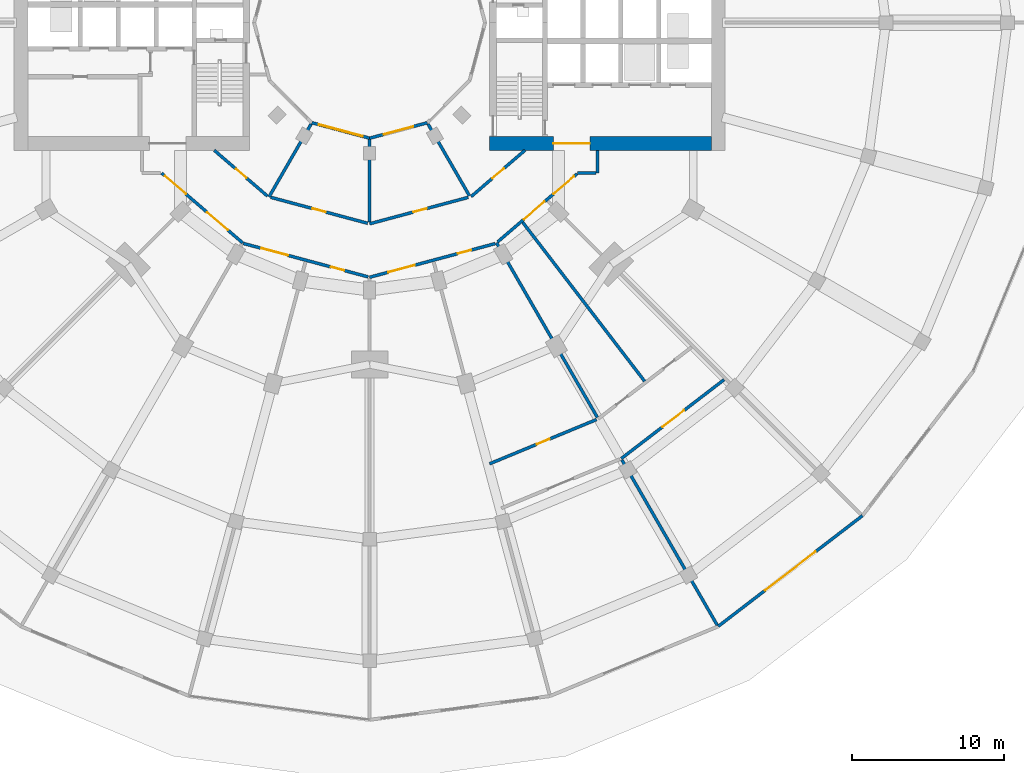
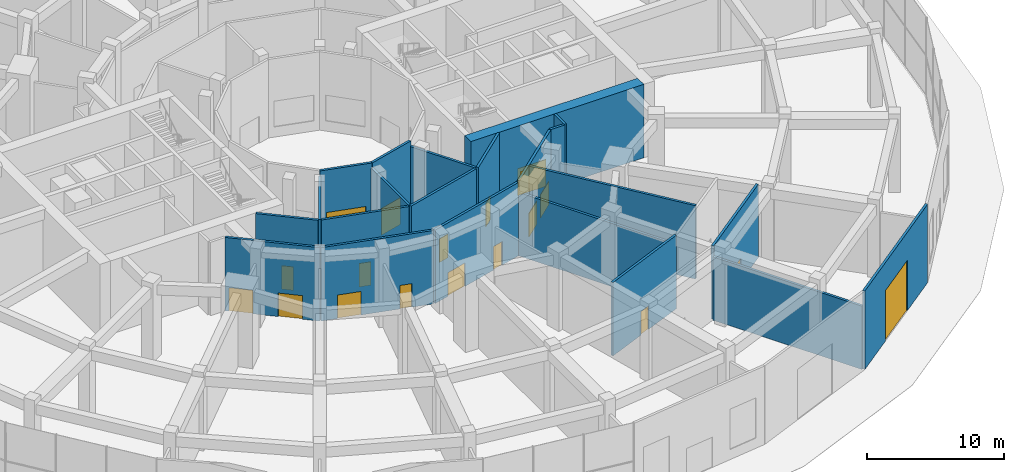
# One storey, part 23 of 31: 22 walls, 17 doors, 1 window, 18 openings.
"""IFC4 building model written with IfcOpenShell, lengths in metres."""

from ifc_helpers import new_model, si_unit, direction, frame, frame_2d, origin, place, context, subcontext, project, spatial, rectangle, extrude, material, layer, layer_set, type_object, element, fill, save


model = new_model("IFC4")

# Units and contexts
model_context = context("Model", 3, precision=1e-05, world=origin(), true_north=direction((0.0, 1.0)))
body_context = subcontext(model_context, "Body", "Model", "MODEL_VIEW")
ifc_project = project(units=[si_unit("LENGTHUNIT", "METRE"), si_unit("AREAUNIT", "SQUARE_METRE"), si_unit("VOLUMEUNIT", "CUBIC_METRE"), si_unit("PLANEANGLEUNIT", "RADIAN"), si_unit("MASSUNIT", "GRAM", prefix="KILO")], contexts=[model_context])

# Site, building, storey
site_placement = place(None, origin())
site = spatial("IfcSite", under=ifc_project, at=site_placement, CompositionType="ELEMENT")
building_placement = place(site_placement, origin())
building = spatial("IfcBuilding", under=site, at=building_placement, Name="Torre Brocal", CompositionType="ELEMENT")
storey_placement = place(building_placement, origin())
storey = spatial("IfcBuildingStorey", under=building, at=storey_placement, Name="L00", CompositionType="ELEMENT", Elevation=0.0)

# Wall, opening, door
ifc_material_1 = material(Name="Concrete C80", Category="concrete")
ifc_layer_1 = layer(ifc_material_1, 0.89990234375)
ifc_layer_set_1 = layer_set([ifc_layer_1], Name="Concrete C80")
wall_type_1 = type_object("IfcWallType", Name="CORE WALL 900 C80 UNDER 450 SLAB", PredefinedType="SHEAR", material=ifc_layer_set_1)
wall_1_placement = place(storey_placement, frame((87.89990234375, 67.050048828125, 0.0), z_axis=(0.0, 0.0, 1.0), x_axis=(1.0, 0.0, 0.0)))
wall_1 = element("IfcWall", 1, at=wall_1_placement, inside=storey, type_object=wall_type_1, Name="Wall CW900-80-S450", PredefinedType="SHEAR", context=body_context, shape_type="SweptSolid", body=[
    extrude(rectangle(XDim=14.60009765625, YDim=0.89990234375, at=frame_2d((7.300048828125, 0.0))), origin(), (0.0, 0.0, 1.0), 6.550048828125),
])
opening_1_placement = place(wall_1_placement, frame((4.199951171875, 0.0, 0.0)))
opening_1 = element("IfcOpeningElement", 2, at=opening_1_placement, cuts=wall_1, Name="Opening E-D30", PredefinedType="OPENING", context=body_context, shape_type="SweptSolid", body=[
    extrude(rectangle(XDim=2.39990234375, YDim=2.39990234375, at=frame_2d((1.199951171875, 1.199951171875))), frame((0.0, 0.4599609375, 0.0), z_axis=(0.0, -1.0, 0.0), x_axis=(1.0, 0.0, 0.0)), (0.0, 0.0, 1.0), 0.919921875),
])
ifc_material_2 = material(Name="Steel A653", Category="steel")
door_type_1 = type_object("IfcDoorType", Name="DOUBLE FIRE DOOR FD90 2400X2400", OperationType="DOUBLE_DOOR_SINGLE_SWING", PredefinedType="DOOR", material=ifc_material_2)
door_1_placement = place(opening_1_placement, origin())
door_1 = element("IfcDoor", 3, at=door_1_placement, inside=storey, type_object=door_type_1, Name="Door E-D30", OperationType="DOUBLE_DOOR_SINGLE_SWING", OverallHeight=2.39990234375, OverallWidth=2.39990234375, PredefinedType="DOOR", context=body_context, shape_type="SweptSolid", body=[
    extrude(rectangle(XDim=2.39990234375, YDim=2.39990234375, at=frame_2d((1.199951171875, 1.199951171875))), frame((0.0, 0.02490234375, 0.0), z_axis=(0.0, -1.0, 0.0), x_axis=(1.0, 0.0, 0.0)), (0.0, 0.0, 1.0), 0.050048828125),
])
fill(opening_1, door_1)

ifc_material_3 = material(Name="Concrete C40", Category="concrete")
ifc_layer_2 = layer(ifc_material_3, 0.199951171875)
ifc_layer_set_2 = layer_set([ifc_layer_2], Name="Concrete C40")
wall_type_2 = type_object("IfcWallType", Name="EXTERNAL WALL 200", PredefinedType="NOTDEFINED", material=ifc_layer_set_2)
wall_2_placement = place(storey_placement, frame((102.949462890625, 35.250244140625, 0.0), z_axis=(0.0, 0.0, 1.0), x_axis=(0.793357384068, 0.608756159021, 0.0)))
wall_2 = element("IfcWall", 4, at=wall_2_placement, inside=storey, type_object=wall_type_2, Name="EXTERNAL WALL", PredefinedType="NOTDEFINED", context=body_context, shape_type="SweptSolid", body=[
    extrude(rectangle(XDim=11.982177734375, YDim=0.199951171875, at=frame_2d((5.9912109375, 0.0))), origin(), (0.0, 0.0, 1.0), 7.0),
])
opening_2_placement = place(wall_2_placement, frame((3.89111328125, 0.0, 0.0)))
opening_2 = element("IfcOpeningElement", 5, at=opening_2_placement, cuts=wall_2, Name="Opening L00-E11", PredefinedType="OPENING", context=body_context, shape_type="SweptSolid", body=[
    extrude(rectangle(XDim=4.199951171875, YDim=4.5, at=frame_2d((2.10009765625, 2.25))), frame((0.0, 0.10986328125, 0.0), z_axis=(0.0, -1.0, 0.0), x_axis=(1.0, 0.0, 0.0)), (0.0, 0.0, 1.0), 0.219970703125),
])
ifc_material_4 = material(Name="Aluminium and glass", Category="aluminium")
door_type_2 = type_object("IfcDoorType", Name="LOADING DOCK DOOR 4200X4500", OperationType="ROLLINGUP", PredefinedType="DOOR", material=ifc_material_4)
door_2_placement = place(opening_2_placement, origin())
door_2 = element("IfcDoor", 6, at=door_2_placement, inside=storey, type_object=door_type_2, Name="DOOR L00-E11", OperationType="ROLLINGUP", OverallHeight=4.5, OverallWidth=4.199951171875, PredefinedType="DOOR", context=body_context, shape_type="SweptSolid", body=[
    extrude(rectangle(XDim=4.199951171875, YDim=4.5, at=frame_2d((2.10009765625, 2.25))), frame((0.0, 0.02490234375, 0.0), z_axis=(0.0, -1.0, 0.0), x_axis=(1.0, 0.0, 0.0)), (0.0, 0.0, 1.0), 0.050048828125),
])
fill(opening_2, door_2)

# Wall, openings, doors
ifc_material_5 = material(Name="Gypsum board", Category="Gypsum")
ifc_layer_3 = layer(ifc_material_5, 0.199951171875)
ifc_layer_set_3 = layer_set([ifc_layer_3], Name="Gypsum board")
wall_type_3 = type_object("IfcWallType", Name="PARTITION 200 EI60", PredefinedType="PARTITIONING", material=ifc_layer_set_3)
wall_3_placement = place(storey_placement, frame((66.30224609375, 65.10009765625, 0.0), z_axis=(0.0, 0.0, 1.0), x_axis=(0.757895579626, -0.652375881209, 0.0)))
wall_3 = element("IfcWall", 7, at=wall_3_placement, inside=storey, type_object=wall_type_3, Name="FLAT ENTRANCE WALL", PredefinedType="PARTITIONING", context=body_context, shape_type="SweptSolid", body=[
    extrude(rectangle(XDim=7.0615234375, YDim=0.199951171875, at=frame_2d((3.53076171875, 0.0))), origin(), (0.0, 0.0, 1.0), 6.550048828125),
])
opening_3_placement = place(wall_3_placement, frame((3.96435546875, 0.0, 0.0)))
opening_3 = element("IfcOpeningElement", 8, at=opening_3_placement, cuts=wall_3, Name="Opening PD0-D25", PredefinedType="OPENING", context=body_context, shape_type="SweptSolid", body=[
    extrude(rectangle(XDim=1.800048828125, YDim=2.10009765625, at=frame_2d((0.89990234375, 1.050048828125))), frame((0.0, 0.10986328125, 0.0), z_axis=(0.0, -1.0, 0.0), x_axis=(1.0, 0.0, 0.0)), (0.0, 0.0, 1.0), 0.219970703125),
])
opening_4_placement = place(wall_3_placement, frame((0.30615234375, 0.0, 0.0)))
opening_4 = element("IfcOpeningElement", 9, at=opening_4_placement, cuts=wall_3, Name="Opening PD0-D26", PredefinedType="OPENING", context=body_context, shape_type="SweptSolid", body=[
    extrude(rectangle(XDim=1.800048828125, YDim=2.10009765625, at=frame_2d((0.89990234375, 1.050048828125))), frame((0.0, 0.10986328125, 0.0), z_axis=(0.0, -1.0, 0.0), x_axis=(1.0, 0.0, 0.0)), (0.0, 0.0, 1.0), 0.219970703125),
])
ifc_material_6 = material(Name="Timber", Category="wood")
door_type_3 = type_object("IfcDoorType", Name="DOUBLE DOOR 1800X2100", OperationType="DOUBLE_DOOR_SINGLE_SWING", PredefinedType="DOOR", material=ifc_material_6)
door_3_placement = place(opening_3_placement, frame((1.800048828125, 0.0, 0.0), z_axis=(0.0, 0.0, 1.0), x_axis=(-1.0, 0.0, 0.0)))
door_3 = element("IfcDoor", 10, at=door_3_placement, inside=storey, type_object=door_type_3, Name="PD0-D25", OperationType="DOUBLE_DOOR_SINGLE_SWING", OverallHeight=2.10009765625, OverallWidth=1.800048828125, PredefinedType="DOOR", context=body_context, shape_type="SweptSolid", body=[
    extrude(rectangle(XDim=1.800048828125, YDim=2.10009765625, at=frame_2d((0.89990234375, 1.050048828125))), frame((0.0, 0.02490234375, 0.0), z_axis=(0.0, -1.0, 0.0), x_axis=(1.0, 0.0, 0.0)), (0.0, 0.0, 1.0), 0.050048828125),
])
fill(opening_3, door_3)
door_4_placement = place(opening_4_placement, frame((1.800048828125, 0.0, 0.0), z_axis=(0.0, 0.0, 1.0), x_axis=(-1.0, 0.0, 0.0)))
door_4 = element("IfcDoor", 11, at=door_4_placement, inside=storey, type_object=door_type_3, Name="PD0-D26", OperationType="DOUBLE_DOOR_SINGLE_SWING", OverallHeight=2.10009765625, OverallWidth=1.800048828125, PredefinedType="DOOR", context=body_context, shape_type="SweptSolid", body=[
    extrude(rectangle(XDim=1.800048828125, YDim=2.10009765625, at=frame_2d((0.89990234375, 1.050048828125))), frame((0.0, 0.02490234375, 0.0), z_axis=(0.0, -1.0, 0.0), x_axis=(1.0, 0.0, 0.0)), (0.0, 0.0, 1.0), 0.050048828125),
])
fill(opening_4, door_4)

# Wall, opening, door
wall_4_placement = place(storey_placement, frame((69.77099609375, 66.60009765625, 0.0), z_axis=(0.0, 0.0, 1.0), x_axis=(0.758040611529, -0.652207352974, 0.0)))
wall_4 = element("IfcWall", 12, at=wall_4_placement, inside=storey, type_object=wall_type_3, Name="CORRIDOR WALL", PredefinedType="PARTITIONING", context=body_context, shape_type="SweptSolid", body=[
    extrude(rectangle(XDim=4.625244140625, YDim=0.199951171875, at=frame_2d((2.3125, 0.0))), origin(), (0.0, 0.0, 1.0), 6.550048828125),
])
opening_5_placement = place(wall_4_placement, frame((1.887451171875, 0.0, 0.0)))
opening_5 = element("IfcOpeningElement", 13, at=opening_5_placement, cuts=wall_4, Name="Opening PD0-D30", PredefinedType="OPENING", context=body_context, shape_type="SweptSolid", body=[
    extrude(rectangle(XDim=0.89990234375, YDim=2.10009765625, at=frame_2d((0.449951171875, 1.050048828125))), frame((0.0, 0.10986328125, 0.0), z_axis=(0.0, -1.0, 0.0), x_axis=(1.0, 0.0, 0.0)), (0.0, 0.0, 1.0), 0.219970703125),
])
ifc_material_7 = material(Name="Timber", Category="wood")
door_type_4 = type_object("IfcDoorType", Name="ROOM DOOR 900X2100", OperationType="SINGLE_SWING_LEFT", PredefinedType="DOOR", material=ifc_material_7)
door_5_placement = place(opening_5_placement, origin())
door_5 = element("IfcDoor", 14, at=door_5_placement, inside=storey, type_object=door_type_4, Name="PD0-D30", OperationType="SINGLE_SWING_LEFT", OverallHeight=2.10009765625, OverallWidth=0.89990234375, PredefinedType="DOOR", context=body_context, shape_type="SweptSolid", body=[
    extrude(rectangle(XDim=0.89990234375, YDim=2.10009765625, at=frame_2d((0.449951171875, 1.050048828125))), frame((0.0, 0.02490234375, 0.0), z_axis=(0.0, -1.0, 0.0), x_axis=(1.0, 0.0, 0.0)), (0.0, 0.0, 1.0), 0.050048828125),
])
fill(opening_5, door_5)

# Wall, openings, doors
wall_5_placement = place(storey_placement, frame((71.68505859375, 60.46826171875, 0.0), z_axis=(0.0, 0.0, 1.0), x_axis=(0.96590736437, -0.258887936097, 0.0)))
wall_5 = element("IfcWall", 15, at=wall_5_placement, inside=storey, type_object=wall_type_3, Name="CORRIDOR WALL", PredefinedType="PARTITIONING", context=body_context, shape_type="SweptSolid", body=[
    extrude(rectangle(XDim=8.5185546875, YDim=0.199951171875, at=frame_2d((4.25927734375, 0.0))), origin(), (0.0, 0.0, 1.0), 6.550048828125),
])
opening_6_placement = place(wall_5_placement, frame((5.9794921875, 0.0, 0.0)))
opening_6 = element("IfcOpeningElement", 16, at=opening_6_placement, cuts=wall_5, Name="Opening PD0-D23", PredefinedType="OPENING", context=body_context, shape_type="SweptSolid", body=[
    extrude(rectangle(XDim=0.89990234375, YDim=2.10009765625, at=frame_2d((0.449951171875, 1.050048828125))), frame((0.0, 0.10986328125, 0.0), z_axis=(0.0, -1.0, 0.0), x_axis=(1.0, 0.0, 0.0)), (0.0, 0.0, 1.0), 0.219970703125),
])
opening_7_placement = place(wall_5_placement, frame((1.2451171875, 0.0, 0.0)))
opening_7 = element("IfcOpeningElement", 17, at=opening_7_placement, cuts=wall_5, Name="Opening PD0-D24", PredefinedType="OPENING", context=body_context, shape_type="SweptSolid", body=[
    extrude(rectangle(XDim=1.800048828125, YDim=2.10009765625, at=frame_2d((0.89990234375, 1.050048828125))), frame((0.0, 0.10986328125, 0.0), z_axis=(0.0, -1.0, 0.0), x_axis=(1.0, 0.0, 0.0)), (0.0, 0.0, 1.0), 0.219970703125),
])
door_6_placement = place(opening_7_placement, frame((1.800048828125, 0.0, 0.0), z_axis=(0.0, 0.0, 1.0), x_axis=(-1.0, 0.0, 0.0)))
door_6 = element("IfcDoor", 18, at=door_6_placement, inside=storey, type_object=door_type_3, Name="PD0-D24", OperationType="DOUBLE_DOOR_SINGLE_SWING", OverallHeight=2.10009765625, OverallWidth=1.800048828125, PredefinedType="DOOR", context=body_context, shape_type="SweptSolid", body=[
    extrude(rectangle(XDim=1.800048828125, YDim=2.10009765625, at=frame_2d((0.89990234375, 1.050048828125))), frame((0.0, 0.02490234375, 0.0), z_axis=(0.0, -1.0, 0.0), x_axis=(1.0, 0.0, 0.0)), (0.0, 0.0, 1.0), 0.050048828125),
])
fill(opening_7, door_6)
door_7_placement = place(opening_6_placement, frame((0.89990234375, 0.0, 0.0), z_axis=(0.0, 0.0, 1.0), x_axis=(-1.0, 0.0, 0.0)))
door_7 = element("IfcDoor", 19, at=door_7_placement, inside=storey, type_object=door_type_4, Name="PD0-D23", OperationType="SINGLE_SWING_RIGHT", OverallHeight=2.10009765625, OverallWidth=0.89990234375, PredefinedType="DOOR", context=body_context, shape_type="SweptSolid", body=[
    extrude(rectangle(XDim=0.89990234375, YDim=2.10009765625, at=frame_2d((0.449951171875, 1.050048828125))), frame((0.0, 0.02490234375, 0.0), z_axis=(0.0, -1.0, 0.0), x_axis=(1.0, 0.0, 0.0)), (0.0, 0.0, 1.0), 0.050048828125),
])
fill(opening_6, door_7)

# Wall, opening, door
wall_6_placement = place(storey_placement, frame((73.49853515625, 63.501953125, 0.0), z_axis=(0.0, 0.0, 1.0), x_axis=(0.965923617359, -0.258827288799, 0.0)))
wall_6 = element("IfcWall", 20, at=wall_6_placement, inside=storey, type_object=wall_type_3, Name="CORRIDOR WALL", PredefinedType="PARTITIONING", context=body_context, shape_type="SweptSolid", body=[
    extrude(rectangle(XDim=6.600830078125, YDim=0.199951171875, at=frame_2d((3.30029296875, 0.0))), origin(), (0.0, 0.0, 1.0), 6.550048828125),
])
opening_8_placement = place(wall_6_placement, frame((2.843994140625, 0.0, 0.0)))
opening_8 = element("IfcOpeningElement", 21, at=opening_8_placement, cuts=wall_6, Name="Opening PD0-D29", PredefinedType="OPENING", context=body_context, shape_type="SweptSolid", body=[
    extrude(rectangle(XDim=0.89990234375, YDim=2.10009765625, at=frame_2d((0.449951171875, 1.050048828125))), frame((0.0, 0.10986328125, 0.0), z_axis=(0.0, -1.0, 0.0), x_axis=(1.0, 0.0, 0.0)), (0.0, 0.0, 1.0), 0.219970703125),
])
door_8_placement = place(opening_8_placement, origin())
door_8 = element("IfcDoor", 22, at=door_8_placement, inside=storey, type_object=door_type_4, Name="PD0-D29", OperationType="SINGLE_SWING_LEFT", OverallHeight=2.10009765625, OverallWidth=0.89990234375, PredefinedType="DOOR", context=body_context, shape_type="SweptSolid", body=[
    extrude(rectangle(XDim=0.89990234375, YDim=2.10009765625, at=frame_2d((0.449951171875, 1.050048828125))), frame((0.0, 0.02490234375, 0.0), z_axis=(0.0, -1.0, 0.0), x_axis=(1.0, 0.0, 0.0)), (0.0, 0.0, 1.0), 0.050048828125),
])
fill(opening_8, door_8)

# Wall
wall_7_placement = place(storey_placement, frame((73.37939453125, 63.5341796875, 0.0), z_axis=(0.0, 0.0, 1.0), x_axis=(0.500033892615, 0.86600583499, 0.0)))
element("IfcWall", 23, at=wall_7_placement, inside=storey, type_object=wall_type_3, Name="SERVICE ROOM WALL", PredefinedType="PARTITIONING", context=body_context, shape_type="SweptSolid", body=[
    extrude(rectangle(XDim=5.54150390625, YDim=0.199951171875, at=frame_2d((2.770751953125, 0.0))), origin(), (0.0, 0.0, 1.0), 6.550048828125),
])

# Wall, openings, doors
wall_8_placement = place(storey_placement, frame((80.0, 58.239990234375, 0.0), z_axis=(0.0, 0.0, 1.0), x_axis=(0.965929228495, 0.258806347564, 0.0)))
wall_8 = element("IfcWall", 24, at=wall_8_placement, inside=storey, type_object=wall_type_3, Name="CORRIDOR WALL", PredefinedType="PARTITIONING", context=body_context, shape_type="SweptSolid", body=[
    extrude(rectangle(XDim=8.568359375, YDim=0.199951171875, at=frame_2d((4.2841796875, 0.0))), origin(), (0.0, 0.0, 1.0), 6.550048828125),
])
opening_9_placement = place(wall_8_placement, frame((6.01318359375, 0.0, 0.0)))
opening_9 = element("IfcOpeningElement", 25, at=opening_9_placement, cuts=wall_8, Name="Opening PD0-D21", PredefinedType="OPENING", context=body_context, shape_type="SweptSolid", body=[
    extrude(rectangle(XDim=0.89990234375, YDim=2.10009765625, at=frame_2d((0.449951171875, 1.050048828125))), frame((0.0, 0.10986328125, 0.0), z_axis=(0.0, -1.0, 0.0), x_axis=(1.0, 0.0, 0.0)), (0.0, 0.0, 1.0), 0.219970703125),
])
opening_10_placement = place(wall_8_placement, frame((1.27880859375, 0.0, 0.0)))
opening_10 = element("IfcOpeningElement", 26, at=opening_10_placement, cuts=wall_8, Name="Opening PD0-D22", PredefinedType="OPENING", context=body_context, shape_type="SweptSolid", body=[
    extrude(rectangle(XDim=1.800048828125, YDim=2.10009765625, at=frame_2d((0.89990234375, 1.050048828125))), frame((0.0, 0.10986328125, 0.0), z_axis=(0.0, -1.0, 0.0), x_axis=(1.0, 0.0, 0.0)), (0.0, 0.0, 1.0), 0.219970703125),
])
door_9_placement = place(opening_10_placement, frame((1.800048828125, 0.0, 0.0), z_axis=(0.0, 0.0, 1.0), x_axis=(-1.0, 0.0, 0.0)))
door_9 = element("IfcDoor", 27, at=door_9_placement, inside=storey, type_object=door_type_3, Name="PD0-D22", OperationType="DOUBLE_DOOR_SINGLE_SWING", OverallHeight=2.10009765625, OverallWidth=1.800048828125, PredefinedType="DOOR", context=body_context, shape_type="SweptSolid", body=[
    extrude(rectangle(XDim=1.800048828125, YDim=2.10009765625, at=frame_2d((0.89990234375, 1.050048828125))), frame((0.0, 0.02490234375, 0.0), z_axis=(0.0, -1.0, 0.0), x_axis=(1.0, 0.0, 0.0)), (0.0, 0.0, 1.0), 0.050048828125),
])
fill(opening_10, door_9)
door_10_placement = place(opening_9_placement, frame((0.89990234375, 0.0, 0.0), z_axis=(0.0, 0.0, 1.0), x_axis=(-1.0, 0.0, 0.0)))
door_10 = element("IfcDoor", 28, at=door_10_placement, inside=storey, type_object=door_type_4, Name="PD0-D21", OperationType="SINGLE_SWING_RIGHT", OverallHeight=2.10009765625, OverallWidth=0.89990234375, PredefinedType="DOOR", context=body_context, shape_type="SweptSolid", body=[
    extrude(rectangle(XDim=0.89990234375, YDim=2.10009765625, at=frame_2d((0.449951171875, 1.050048828125))), frame((0.0, 0.02490234375, 0.0), z_axis=(0.0, -1.0, 0.0), x_axis=(1.0, 0.0, 0.0)), (0.0, 0.0, 1.0), 0.050048828125),
])
fill(opening_9, door_10)

# Wall
wall_9_placement = place(storey_placement, frame((80.0, 61.889892578125, 0.0), z_axis=(0.0, 0.0, 1.0), x_axis=(0.0, 1.0, 0.0)))
element("IfcWall", 29, at=wall_9_placement, inside=storey, type_object=wall_type_3, Name="SERVICE ROOM WALL", PredefinedType="PARTITIONING", context=body_context, shape_type="SweptSolid", body=[
    extrude(rectangle(XDim=5.4111328125, YDim=0.199951171875, at=frame_2d((2.70556640625, 0.0))), origin(), (0.0, 0.0, 1.0), 6.550048828125),
])

# Wall, opening, door
wall_10_placement = place(storey_placement, frame((80.0, 61.760009765625, 0.0), z_axis=(0.0, 0.0, 1.0), x_axis=(0.965932810031, 0.258792980017, 0.0)))
wall_10 = element("IfcWall", 30, at=wall_10_placement, inside=storey, type_object=wall_type_3, Name="CORRIDOR WALL", PredefinedType="PARTITIONING", context=body_context, shape_type="SweptSolid", body=[
    extrude(rectangle(XDim=6.720703125, YDim=0.199951171875, at=frame_2d((3.3603515625, 0.0))), origin(), (0.0, 0.0, 1.0), 6.550048828125),
])
opening_11_placement = place(wall_10_placement, frame((2.986572265625, 0.0, 0.0)))
opening_11 = element("IfcOpeningElement", 31, at=opening_11_placement, cuts=wall_10, Name="Opening PD0-D28", PredefinedType="OPENING", context=body_context, shape_type="SweptSolid", body=[
    extrude(rectangle(XDim=0.89990234375, YDim=2.10009765625, at=frame_2d((0.449951171875, 1.050048828125))), frame((0.0, 0.10986328125, 0.0), z_axis=(0.0, -1.0, 0.0), x_axis=(1.0, 0.0, 0.0)), (0.0, 0.0, 1.0), 0.219970703125),
])
door_11_placement = place(opening_11_placement, origin())
door_11 = element("IfcDoor", 32, at=door_11_placement, inside=storey, type_object=door_type_4, Name="PD0-D28", OperationType="SINGLE_SWING_RIGHT", OverallHeight=2.10009765625, OverallWidth=0.89990234375, PredefinedType="DOOR", context=body_context, shape_type="SweptSolid", body=[
    extrude(rectangle(XDim=0.89990234375, YDim=2.10009765625, at=frame_2d((0.449951171875, 1.050048828125))), frame((0.0, 0.02490234375, 0.0), z_axis=(0.0, -1.0, 0.0), x_axis=(1.0, 0.0, 0.0)), (0.0, 0.0, 1.0), 0.050048828125),
])
fill(opening_11, door_11)

# Wall
wall_11_placement = place(storey_placement, frame((83.846923828125, 68.331787109375, 0.0), z_axis=(0.0, 0.0, 1.0), x_axis=(0.499867183387, -0.866102071914, 0.0)))
element("IfcWall", 33, at=wall_11_placement, inside=storey, type_object=wall_type_3, Name="SERVICE ROOM WALL", PredefinedType="PARTITIONING", context=body_context, shape_type="SweptSolid", body=[
    extrude(rectangle(XDim=5.45166015625, YDim=0.199951171875, at=frame_2d((2.725830078125, 0.0))), origin(), (0.0, 0.0, 1.0), 6.550048828125),
])

# Wall, opening, door
wall_12_placement = place(storey_placement, frame((86.68505859375, 63.551025390625, 0.0), z_axis=(0.0, 0.0, 1.0), x_axis=(0.758049900748, 0.652196556244, 0.0)))
wall_12 = element("IfcWall", 34, at=wall_12_placement, inside=storey, type_object=wall_type_3, Name="CORRIDOR WALL", PredefinedType="PARTITIONING", context=body_context, shape_type="SweptSolid", body=[
    extrude(rectangle(XDim=4.675048828125, YDim=0.199951171875, at=frame_2d((2.33740234375, 0.0))), origin(), (0.0, 0.0, 1.0), 6.550048828125),
])
opening_12_placement = place(wall_12_placement, frame((1.83740234375, 0.0, 0.0)))
opening_12 = element("IfcOpeningElement", 35, at=opening_12_placement, cuts=wall_12, Name="Opening PD0-D27", PredefinedType="OPENING", context=body_context, shape_type="SweptSolid", body=[
    extrude(rectangle(XDim=1.0, YDim=2.10009765625, at=frame_2d((0.5, 1.050048828125))), frame((0.0, 0.10986328125, 0.0), z_axis=(0.0, -1.0, 0.0), x_axis=(1.0, 0.0, 0.0)), (0.0, 0.0, 1.0), 0.219970703125),
])
ifc_material_8 = material(Name="Steel A653", Category="steel")
door_type_5 = type_object("IfcDoorType", Name="FIRE DOOR FD60 1000X2100", OperationType="SINGLE_SWING_RIGHT", PredefinedType="DOOR", material=ifc_material_8)
door_12_placement = place(opening_12_placement, origin())
door_12 = element("IfcDoor", 36, at=door_12_placement, inside=storey, type_object=door_type_5, Name="PD0-D27", OperationType="SINGLE_SWING_RIGHT", OverallHeight=2.10009765625, OverallWidth=1.0, PredefinedType="DOOR", context=body_context, shape_type="SweptSolid", body=[
    extrude(rectangle(XDim=1.0, YDim=2.10009765625, at=frame_2d((0.5, 1.050048828125))), frame((0.0, 0.02490234375, 0.0), z_axis=(0.0, -1.0, 0.0), x_axis=(1.0, 0.0, 0.0)), (0.0, 0.0, 1.0), 0.050048828125),
])
fill(opening_12, door_12)

wall_13_placement = place(storey_placement, frame((87.8955078125, 45.9541015625, 0.0), z_axis=(0.0, 0.0, 1.0), x_axis=(0.923937266852, 0.382544019587, 0.0)))
wall_13 = element("IfcWall", 37, at=wall_13_placement, inside=storey, type_object=wall_type_3, Name="CORRIDOR WALL", PredefinedType="PARTITIONING", context=body_context, shape_type="SweptSolid", body=[
    extrude(rectangle(XDim=7.627685546875, YDim=0.199951171875, at=frame_2d((3.81396484375, 0.0))), origin(), (0.0, 0.0, 1.0), 6.550048828125),
])
opening_13_placement = place(wall_13_placement, frame((3.37109375, 0.0, 0.0)))
opening_13 = element("IfcOpeningElement", 38, at=opening_13_placement, cuts=wall_13, Name="Opening PD0-D17", PredefinedType="OPENING", context=body_context, shape_type="SweptSolid", body=[
    extrude(rectangle(XDim=0.89990234375, YDim=2.10009765625, at=frame_2d((0.449951171875, 1.050048828125))), frame((0.0, 0.10986328125, 0.0), z_axis=(0.0, -1.0, 0.0), x_axis=(1.0, 0.0, 0.0)), (0.0, 0.0, 1.0), 0.219970703125),
])
door_13_placement = place(opening_13_placement, origin())
door_13 = element("IfcDoor", 39, at=door_13_placement, inside=storey, type_object=door_type_4, Name="PD0-D17", OperationType="SINGLE_SWING_RIGHT", OverallHeight=2.10009765625, OverallWidth=0.89990234375, PredefinedType="DOOR", context=body_context, shape_type="SweptSolid", body=[
    extrude(rectangle(XDim=0.89990234375, YDim=2.10009765625, at=frame_2d((0.449951171875, 1.050048828125))), frame((0.0, 0.02490234375, 0.0), z_axis=(0.0, -1.0, 0.0), x_axis=(1.0, 0.0, 0.0)), (0.0, 0.0, 1.0), 0.050048828125),
])
fill(opening_13, door_13)

# Wall, openings, doors
wall_14_placement = place(storey_placement, frame((88.43408203125, 60.57470703125, 0.0), z_axis=(0.0, 0.0, 1.0), x_axis=(0.759266619151, 0.650779687024, 0.0)))
wall_14 = element("IfcWall", 40, at=wall_14_placement, inside=storey, type_object=wall_type_3, Name="CORRIDOR WALL", PredefinedType="PARTITIONING", context=body_context, shape_type="SweptSolid", body=[
    extrude(rectangle(XDim=6.8818359375, YDim=0.199951171875, at=frame_2d((3.44091796875, 0.0))), origin(), (0.0, 0.0, 1.0), 6.550048828125),
])
opening_14_placement = place(wall_14_placement, frame((4.83544921875, 0.0, 0.0)))
opening_14 = element("IfcOpeningElement", 41, at=opening_14_placement, cuts=wall_14, Name="Opening PD0-D14", PredefinedType="OPENING", context=body_context, shape_type="SweptSolid", body=[
    extrude(rectangle(XDim=1.800048828125, YDim=2.10009765625, at=frame_2d((0.89990234375, 1.050048828125))), frame((0.0, 0.10986328125, 0.0), z_axis=(0.0, -1.0, 0.0), x_axis=(1.0, 0.0, 0.0)), (0.0, 0.0, 1.0), 0.219970703125),
])
opening_15_placement = place(wall_14_placement, frame((2.269287109375, 0.0, 0.0)))
opening_15 = element("IfcOpeningElement", 42, at=opening_15_placement, cuts=wall_14, Name="Opening PD0-D20", PredefinedType="OPENING", context=body_context, shape_type="SweptSolid", body=[
    extrude(rectangle(XDim=1.800048828125, YDim=2.10009765625, at=frame_2d((0.89990234375, 1.050048828125))), frame((0.0, 0.10986328125, 0.0), z_axis=(0.0, -1.0, 0.0), x_axis=(1.0, 0.0, 0.0)), (0.0, 0.0, 1.0), 0.219970703125),
])
door_14_placement = place(opening_14_placement, frame((1.800048828125, 0.0, 0.0), z_axis=(0.0, 0.0, 1.0), x_axis=(-1.0, 0.0, 0.0)))
door_14 = element("IfcDoor", 43, at=door_14_placement, inside=storey, type_object=door_type_3, Name="PD0-D14", OperationType="DOUBLE_DOOR_SINGLE_SWING", OverallHeight=2.10009765625, OverallWidth=1.800048828125, PredefinedType="DOOR", context=body_context, shape_type="SweptSolid", body=[
    extrude(rectangle(XDim=1.800048828125, YDim=2.10009765625, at=frame_2d((0.89990234375, 1.050048828125))), frame((0.0, 0.02490234375, 0.0), z_axis=(0.0, -1.0, 0.0), x_axis=(1.0, 0.0, 0.0)), (0.0, 0.0, 1.0), 0.050048828125),
])
fill(opening_14, door_14)
door_15_placement = place(opening_15_placement, origin())
door_15 = element("IfcDoor", 44, at=door_15_placement, inside=storey, type_object=door_type_3, Name="PD0-D20", OperationType="DOUBLE_DOOR_SINGLE_SWING", OverallHeight=2.10009765625, OverallWidth=1.800048828125, PredefinedType="DOOR", context=body_context, shape_type="SweptSolid", body=[
    extrude(rectangle(XDim=1.800048828125, YDim=2.10009765625, at=frame_2d((0.89990234375, 1.050048828125))), frame((0.0, 0.02490234375, 0.0), z_axis=(0.0, -1.0, 0.0), x_axis=(1.0, 0.0, 0.0)), (0.0, 0.0, 1.0), 0.050048828125),
])
fill(opening_15, door_15)

# Walls
wall_15_placement = place(storey_placement, frame((90.087890625, 61.8486328125, 0.0), z_axis=(0.0, 0.0, 1.0), x_axis=(0.608726617775, -0.793380050677, 0.0)))
element("IfcWall", 45, at=wall_15_placement, inside=storey, type_object=wall_type_3, Name="CORRIDOR WALL", PredefinedType="PARTITIONING", context=body_context, shape_type="SweptSolid", body=[
    extrude(rectangle(XDim=13.181884765625, YDim=0.199951171875, at=frame_2d((6.5908203125, 0.0))), origin(), (0.0, 0.0, 1.0), 6.550048828125),
])
wall_16_placement = place(storey_placement, frame((93.697998046875, 65.10009765625, 0.0), z_axis=(0.0, 0.0, 1.0), x_axis=(1.0, 0.0, 0.0)))
element("IfcWall", 46, at=wall_16_placement, inside=storey, type_object=wall_type_3, Name="CORRIDOR WALL", PredefinedType="PARTITIONING", context=body_context, shape_type="SweptSolid", body=[
    extrude(rectangle(XDim=1.201904296875, YDim=0.199951171875, at=frame_2d((0.60107421875, 0.0))), origin(), (0.0, 0.0, 1.0), 6.550048828125),
])
wall_17_placement = place(storey_placement, frame((95.0, 65.10009765625, 0.0), z_axis=(0.0, 0.0, 1.0), x_axis=(0.0, 1.0, 0.0)))
element("IfcWall", 47, at=wall_17_placement, inside=storey, type_object=wall_type_3, Name="CORRIDOR WALL", PredefinedType="PARTITIONING", context=body_context, shape_type="SweptSolid", body=[
    extrude(rectangle(XDim=1.4990234375, YDim=0.199951171875, at=frame_2d((0.74951171875, 0.0))), origin(), (0.0, 0.0, 1.0), 6.550048828125),
])

# Wall, opening, door
wall_18_placement = place(storey_placement, frame((96.570068359375, 46.300048828125, 0.0), z_axis=(0.0, 0.0, 1.0), x_axis=(0.793368149713, 0.608742128509, 0.0)))
wall_18 = element("IfcWall", 48, at=wall_18_placement, inside=storey, type_object=wall_type_3, Name="CORRIDOR WALL", PredefinedType="PARTITIONING", context=body_context, shape_type="SweptSolid", body=[
    extrude(rectangle(XDim=8.530517578125, YDim=0.199951171875, at=frame_2d((4.26513671875, 0.0))), origin(), (0.0, 0.0, 1.0), 6.550048828125),
])
opening_16_placement = place(wall_18_placement, frame((3.42529296875, 0.0, 0.0)))
opening_16 = element("IfcOpeningElement", 49, at=opening_16_placement, cuts=wall_18, Name="Opening PD0-D16", PredefinedType="OPENING", context=body_context, shape_type="SweptSolid", body=[
    extrude(rectangle(XDim=1.800048828125, YDim=2.10009765625, at=frame_2d((0.89990234375, 1.050048828125))), frame((0.0, 0.10986328125, 0.0), z_axis=(0.0, -1.0, 0.0), x_axis=(1.0, 0.0, 0.0)), (0.0, 0.0, 1.0), 0.219970703125),
])
door_16_placement = place(opening_16_placement, frame((1.800048828125, 0.0, 0.0), z_axis=(0.0, 0.0, 1.0), x_axis=(-1.0, 0.0, 0.0)))
door_16 = element("IfcDoor", 50, at=door_16_placement, inside=storey, type_object=door_type_3, Name="PD0-D16", OperationType="DOUBLE_DOOR_SINGLE_SWING", OverallHeight=2.10009765625, OverallWidth=1.800048828125, PredefinedType="DOOR", context=body_context, shape_type="SweptSolid", body=[
    extrude(rectangle(XDim=1.800048828125, YDim=2.10009765625, at=frame_2d((0.89990234375, 1.050048828125))), frame((0.0, 0.02490234375, 0.0), z_axis=(0.0, -1.0, 0.0), x_axis=(1.0, 0.0, 0.0)), (0.0, 0.0, 1.0), 0.050048828125),
])
fill(opening_16, door_16)

# Walls
ifc_material_9 = material(Name="Gypsum board", Category="Gypsum")
ifc_layer_4 = layer(ifc_material_9, 0.199951171875)
ifc_layer_set_4 = layer_set([ifc_layer_4], Name="Gypsum board")
wall_type_4 = type_object("IfcWallType", Name="PARTITION 200 EI60 UNDER BEAM 1350", PredefinedType="PARTITIONING", material=ifc_layer_set_4)
wall_19_placement = place(storey_placement, frame((88.36181640625, 60.5087890625, 0.0), z_axis=(0.0, 0.0, 1.0), x_axis=(0.499842399886, -0.866116375134, 0.0)))
element("IfcWall", 51, at=wall_19_placement, inside=storey, type_object=wall_type_4, Name="SERVICE ROOM WALL", PredefinedType="PARTITIONING", context=body_context, shape_type="SweptSolid", body=[
    extrude(rectangle(XDim=13.273681640625, YDim=0.199951171875, at=frame_2d((6.63671875, 0.0))), origin(), (0.0, 0.0, 1.0), 5.64990234375),
])
wall_20_placement = place(storey_placement, frame((96.61376953125, 46.210205078125, 0.0), z_axis=(0.0, 0.0, 1.0), x_axis=(0.499854846894, -0.866109191752, 0.0)))
element("IfcWall", 52, at=wall_20_placement, inside=storey, type_object=wall_type_4, Name="PARTY PARTITION", PredefinedType="PARTITIONING", context=body_context, shape_type="SweptSolid", body=[
    extrude(rectangle(XDim=12.557861328125, YDim=0.199951171875, at=frame_2d((6.27880859375, 0.0))), origin(), (0.0, 0.0, 1.0), 5.64990234375),
])

# Wall, opening, window
ifc_material_10 = material(Name="Concrete C40", Category="concrete")
ifc_layer_5 = layer(ifc_material_10, 0.199951171875)
ifc_layer_set_5 = layer_set([ifc_layer_5], Name="Concrete C40")
wall_type_5 = type_object("IfcWallType", Name="WELL FACADE WALL 200", PredefinedType="NOTDEFINED", material=ifc_layer_set_5)
wall_21_placement = place(storey_placement, frame((76.1982421875, 68.4150390625, 0.0), z_axis=(0.0, 0.0, 1.0), x_axis=(0.965933654434, -0.258789828301, 0.0)))
wall_21 = element("IfcWall", 53, at=wall_21_placement, inside=storey, type_object=wall_type_5, Name="WELL FACADE WALL", PredefinedType="NOTDEFINED", context=body_context, shape_type="SweptSolid", body=[
    extrude(rectangle(XDim=3.935791015625, YDim=0.199951171875, at=frame_2d((1.9677734375, 0.0))), origin(), (0.0, 0.0, 1.0), 7.0),
])
opening_17_placement = place(wall_21_placement, frame((0.468017578125, 0.0, 0.89990234375)))
opening_17 = element("IfcOpeningElement", 54, at=opening_17_placement, cuts=wall_21, Name="Opening W1", PredefinedType="OPENING", context=body_context, shape_type="SweptSolid", body=[
    extrude(rectangle(XDim=3.0, YDim=2.300048828125, at=frame_2d((1.5, 1.14990234375))), frame((0.0, 0.10986328125, 0.0), z_axis=(0.0, -1.0, 0.0), x_axis=(1.0, 0.0, 0.0)), (0.0, 0.0, 1.0), 0.219970703125),
])
ifc_material_11 = material(Name="Aluminium and glass", Category="aluminium")
window_type = type_object("IfcWindowType", Name="WELL WINDOW 3000X2300", PartitioningType="SINGLE_PANEL", PredefinedType="WINDOW", material=ifc_material_11)
window_placement = place(opening_17_placement, origin())
window = element("IfcWindow", 55, at=window_placement, inside=storey, type_object=window_type, Name="WELL WINDOW 3000X2300", OverallHeight=2.300048828125, OverallWidth=3.0, PartitioningType="SINGLE_PANEL", PredefinedType="WINDOW", context=body_context, shape_type="SweptSolid", body=[
    extrude(rectangle(XDim=3.0, YDim=2.300048828125, at=frame_2d((1.5, 1.14990234375))), frame((0.0, 0.030029296875, 0.0), z_axis=(0.0, -1.0, 0.0), x_axis=(1.0, 0.0, 0.0)), (0.0, 0.0, 1.0), 0.06005859375),
])
fill(opening_17, window)

# Wall, opening, door
wall_22_placement = place(storey_placement, frame((80.0, 67.396484375, 0.0), z_axis=(0.0, 0.0, 1.0), x_axis=(0.965933654434, 0.258789828301, 0.0)))
wall_22 = element("IfcWall", 56, at=wall_22_placement, inside=storey, type_object=wall_type_5, Name="WELL FACADE WALL", PredefinedType="NOTDEFINED", context=body_context, shape_type="SweptSolid", body=[
    extrude(rectangle(XDim=3.935791015625, YDim=0.199951171875, at=frame_2d((1.9677734375, 0.0))), origin(), (0.0, 0.0, 1.0), 7.0),
])
opening_18_placement = place(wall_22_placement, frame((0.968017578125, 0.0, 0.0)))
opening_18 = element("IfcOpeningElement", 57, at=opening_18_placement, cuts=wall_22, Name="Opening L00-E16", PredefinedType="OPENING", context=body_context, shape_type="SweptSolid", body=[
    extrude(rectangle(XDim=2.0, YDim=2.39990234375, at=frame_2d((1.0, 1.199951171875))), frame((0.0, 0.10986328125, 0.0), z_axis=(0.0, -1.0, 0.0), x_axis=(1.0, 0.0, 0.0)), (0.0, 0.0, 1.0), 0.219970703125),
])
ifc_material_12 = material(Name="Aluminium and glass", Category="aluminium")
door_type_6 = type_object("IfcDoorType", Name="COURT DOOR 2000X2400", OperationType="DOUBLE_DOOR_SINGLE_SWING", PredefinedType="DOOR", material=ifc_material_12)
door_17_placement = place(opening_18_placement, origin())
door_17 = element("IfcDoor", 58, at=door_17_placement, inside=storey, type_object=door_type_6, Name="DOOR L00-E16", OperationType="DOUBLE_DOOR_SINGLE_SWING", OverallHeight=2.39990234375, OverallWidth=2.0, PredefinedType="DOOR", context=body_context, shape_type="SweptSolid", body=[
    extrude(rectangle(XDim=2.0, YDim=2.39990234375, at=frame_2d((1.0, 1.199951171875))), frame((0.0, 0.02490234375, 0.0), z_axis=(0.0, -1.0, 0.0), x_axis=(1.0, 0.0, 0.0)), (0.0, 0.0, 1.0), 0.050048828125),
])
fill(opening_18, door_17)

save(model, "model.ifc")
